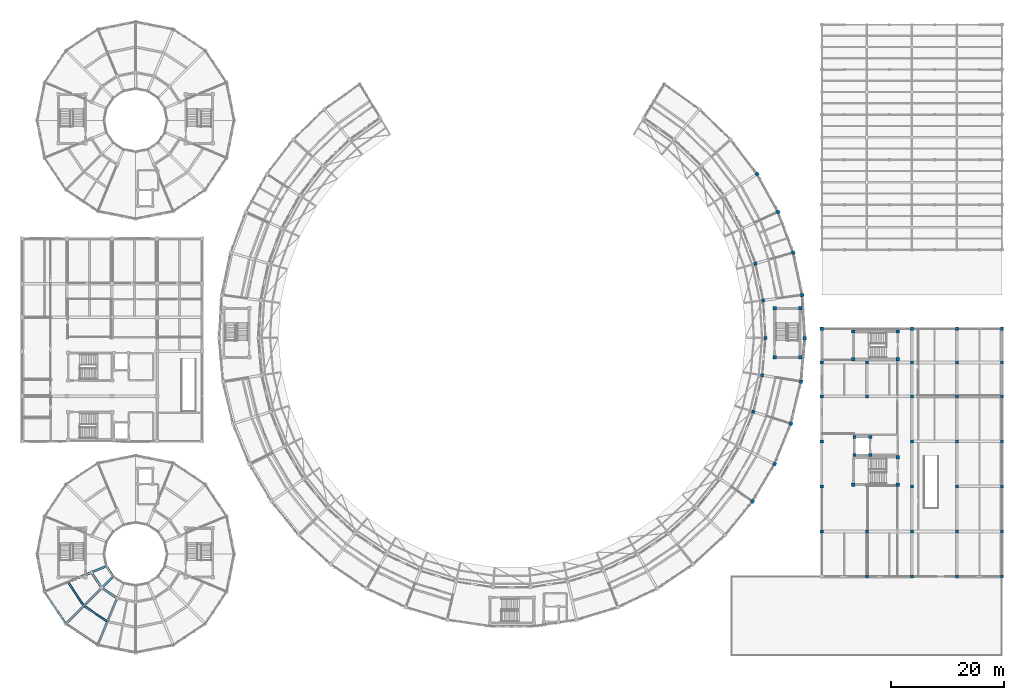
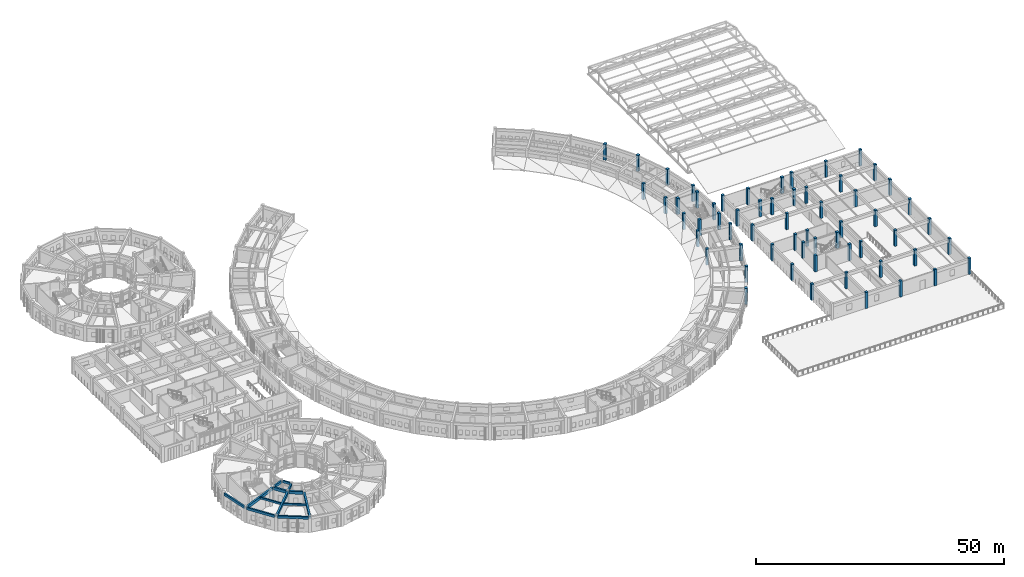
# One storey, part 7 of 112: 60 columns, 13 beams.
"""IFC4 building model written with IfcOpenShell, lengths in metres."""

from ifc_helpers import new_model, si_unit, direction, frame, origin, origin_2d, place, context, subcontext, project, spatial, rectangle, extrude, material, material_profile, profile_set, type_object, element, save


model = new_model("IFC4")

# Units and contexts
model_context = context("Model", 3, precision=1e-05, world=origin(), true_north=direction((0.0, 1.0)))
body_context = subcontext(model_context, "Body", "Model", "MODEL_VIEW")
ifc_project = project(units=[si_unit("LENGTHUNIT", "METRE"), si_unit("AREAUNIT", "SQUARE_METRE"), si_unit("VOLUMEUNIT", "CUBIC_METRE"), si_unit("PLANEANGLEUNIT", "RADIAN"), si_unit("MASSUNIT", "GRAM", prefix="KILO")], contexts=[model_context])

# Site, building, storey
site_placement = place(None, origin())
site = spatial("IfcSite", under=ifc_project, at=site_placement, CompositionType="ELEMENT")
building_placement = place(site_placement, origin())
building = spatial("IfcBuilding", under=site, at=building_placement, Name="Celadon Cloister-Ring School", CompositionType="ELEMENT")
storey_placement = place(building_placement, frame((0.0, 0.0, 8.5)))
storey = spatial("IfcBuildingStorey", under=building, at=storey_placement, Name="L02", CompositionType="ELEMENT", Elevation=8.5)

# Columns
ifc_material_1 = material(Name="Concrete C40/50", Category="concrete")
ifc_material_profile_1 = material_profile(ifc_material_1, rectangle(XDim=0.60009765625, YDim=0.60009765625, at=origin_2d()), Name="RC600X600")
ifc_profile_set_1 = profile_set([ifc_material_profile_1], Name="Concrete C40/50")
column_type_1 = type_object("IfcColumnType", Name="CT-04", PredefinedType="COLUMN", material=ifc_profile_set_1)
for number, where, z_axis, x_axis, name in (
    (1, (133.6298828125, 54.89990234375, 0.0), (0.0, 0.0, 1.0), (1.0, 0.0, 0.0), "Column 0003"),
    (2, (138.14990234375, 54.89990234375, 0.0), (0.0, 0.0, 1.0), (1.0, 0.0, 0.0), "Column 0007"),
    (3, (138.14990234375, 63.6201171875, 0.0), (0.0, 0.0, 1.0), (1.0, 0.0, 0.0), "Column 0011"),
    (4, (133.6298828125, 63.6201171875, 0.0), (0.0, 0.0, 1.0), (1.0, 0.0, 0.0), "Column 0015"),
    (5, (147.60009765625, 32.300048828125, 0.0), (0.0, 0.0, 1.0), (1.0, 0.0, 0.0), "Column 0097"),
    (6, (155.5, 32.300048828125, 0.0), (0.0, 0.0, 1.0), (1.0, 0.0, 0.0), "Column 0101"),
    (7, (155.5, 37.199951171875, 0.0), (0.0, 0.0, 1.0), (1.0, 0.0, 0.0), "Column 0105"),
    (8, (147.60009765625, 54.60009765625, 0.0), (0.0, 0.0, 1.0), (1.0, 0.0, 0.0), "Column 0109"),
    (9, (155.5, 54.60009765625, 0.0), (0.0, 0.0, 1.0), (1.0, 0.0, 0.0), "Column 0113"),
    (10, (155.5, 59.5, 0.0), (0.0, 0.0, 1.0), (1.0, 0.0, 0.0), "Column 0117"),
    (11, (147.60009765625, 59.5, 0.0), (0.0, 0.0, 1.0), (1.0, 0.0, 0.0), "Column 0121"),
):
    element("IfcColumn", number, at=place(storey_placement, frame(where, z_axis=z_axis, x_axis=x_axis)), inside=storey, type_object=column_type_1, Name=name, PredefinedType="COLUMN", context=body_context, shape_type="SweptSolid", body=[
        extrude(rectangle(XDim=0.60009765625, YDim=0.60009765625, at=origin_2d()), origin(), (0.0, 0.0, 1.0), 4.0),
    ])
ifc_material_2 = material(Name="Concrete C40/50", Category="concrete")
ifc_material_profile_2 = material_profile(ifc_material_2, rectangle(XDim=0.550048828125, YDim=0.550048828125, at=origin_2d()), Name="RC550X550")
ifc_profile_set_2 = profile_set([ifc_material_profile_2], Name="Concrete C40/50")
column_type_2 = type_object("IfcColumnType", Name="CT-05", PredefinedType="COLUMN", material=ifc_profile_set_2)
for number, where, z_axis, x_axis, name in (
    (12, (147.800048828125, 37.60009765625, 0.0), (0.0, 0.0, 1.0), (1.0, 0.0, 0.0), "Column 0310"),
    (13, (150.60009765625, 37.60009765625, 0.0), (0.0, 0.0, 1.0), (1.0, 0.0, 0.0), "Column 0314"),
    (14, (150.60009765625, 40.800048828125, 0.0), (0.0, 0.0, 1.0), (1.0, 0.0, 0.0), "Column 0318"),
    (15, (147.800048828125, 40.800048828125, 0.0), (0.0, 0.0, 1.0), (1.0, 0.0, 0.0), "Column 0322"),
    (16, (142.0, 24.0, 0.0), (0.0, 0.0, 1.0), (1.0, 0.0, 0.0), "Column 0929"),
    (17, (142.0, 32.0, 0.0), (0.0, 0.0, 1.0), (1.0, 0.0, 0.0), "Column 0932"),
    (18, (142.0, 40.0, 0.0), (0.0, 0.0, 1.0), (1.0, 0.0, 0.0), "Column 0936"),
    (19, (142.0, 48.0, 0.0), (0.0, 0.0, 1.0), (1.0, 0.0, 0.0), "Column 0940"),
    (20, (142.0, 54.0, 0.0), (0.0, 0.0, 1.0), (1.0, 0.0, 0.0), "Column 0944"),
    (21, (142.0, 60.0, 0.0), (0.0, 0.0, 1.0), (1.0, 0.0, 0.0), "Column 0948"),
    (22, (150.0, 16.0, 0.0), (0.0, 0.0, 1.0), (1.0, 0.0, 0.0), "Column 0954"),
    (23, (150.0, 24.0, 0.0), (0.0, 0.0, 1.0), (1.0, 0.0, 0.0), "Column 0959"),
    (24, (150.0, 48.0, 0.0), (0.0, 0.0, 1.0), (1.0, 0.0, 0.0), "Column 0962"),
    (25, (150.0, 54.0, 0.0), (0.0, 0.0, 1.0), (1.0, 0.0, 0.0), "Column 0966"),
    (26, (158.0, 16.0, 0.0), (0.0, 0.0, 1.0), (1.0, 0.0, 0.0), "Column 0972"),
    (27, (158.0, 24.0, 0.0), (0.0, 0.0, 1.0), (1.0, 0.0, 0.0), "Column 0977"),
    (28, (158.0, 32.0, 0.0), (0.0, 0.0, 1.0), (1.0, 0.0, 0.0), "Column 0980"),
    (29, (158.0, 40.0, 0.0), (0.0, 0.0, 1.0), (1.0, 0.0, 0.0), "Column 0984"),
    (30, (158.0, 48.0, 0.0), (0.0, 0.0, 1.0), (1.0, 0.0, 0.0), "Column 0988"),
    (31, (158.0, 54.0, 0.0), (0.0, 0.0, 1.0), (1.0, 0.0, 0.0), "Column 0992"),
    (32, (158.0, 60.0, 0.0), (0.0, 0.0, 1.0), (1.0, 0.0, 0.0), "Column 0996"),
    (33, (166.0, 16.0, 0.0), (0.0, 0.0, 1.0), (1.0, 0.0, 0.0), "Column 1002"),
    (34, (166.0, 24.0, 0.0), (0.0, 0.0, 1.0), (1.0, 0.0, 0.0), "Column 1007"),
    (35, (166.0, 32.0, 0.0), (0.0, 0.0, 1.0), (1.0, 0.0, 0.0), "Column 1010"),
    (36, (166.0, 40.0, 0.0), (0.0, 0.0, 1.0), (1.0, 0.0, 0.0), "Column 1014"),
    (37, (166.0, 48.0, 0.0), (0.0, 0.0, 1.0), (1.0, 0.0, 0.0), "Column 1018"),
    (38, (166.0, 54.0, 0.0), (0.0, 0.0, 1.0), (1.0, 0.0, 0.0), "Column 1022"),
    (39, (166.0, 60.0, 0.0), (0.0, 0.0, 1.0), (1.0, 0.0, 0.0), "Column 1026"),
    (40, (174.0, 16.0, 0.0), (0.0, 0.0, 1.0), (1.0, 0.0, 0.0), "Column 1032"),
    (41, (174.0, 24.0, 0.0), (0.0, 0.0, 1.0), (1.0, 0.0, 0.0), "Column 1037"),
    (42, (174.0, 32.0, 0.0), (0.0, 0.0, 1.0), (1.0, 0.0, 0.0), "Column 1040"),
    (43, (174.0, 40.0, 0.0), (0.0, 0.0, 1.0), (1.0, 0.0, 0.0), "Column 1044"),
    (44, (174.0, 48.0, 0.0), (0.0, 0.0, 1.0), (1.0, 0.0, 0.0), "Column 1048"),
    (45, (174.0, 54.0, 0.0), (0.0, 0.0, 1.0), (1.0, 0.0, 0.0), "Column 1052"),
    (46, (174.0, 60.0, 0.0), (0.0, 0.0, 1.0), (1.0, 0.0, 0.0), "Column 1056"),
):
    element("IfcColumn", number, at=place(storey_placement, frame(where, z_axis=z_axis, x_axis=x_axis)), inside=storey, type_object=column_type_2, Name=name, PredefinedType="COLUMN", context=body_context, shape_type="SweptSolid", body=[
        extrude(rectangle(XDim=0.550048828125, YDim=0.550048828125, at=origin_2d()), origin(), (0.0, 0.0, 1.0), 4.0),
    ])
ifc_material_3 = material(Name="Concrete C40/50", Category="concrete")
ifc_material_profile_3 = material_profile(ifc_material_3, rectangle(XDim=0.60009765625, YDim=0.60009765625, at=origin_2d()), Name="RC600X600")
ifc_profile_set_3 = profile_set([ifc_material_profile_3], Name="Concrete C40/50")
column_type_3 = type_object("IfcColumnType", Name="CT-23", PredefinedType="COLUMN", material=ifc_profile_set_3)
for number, where, z_axis, x_axis, name in (
    (47, (129.7119140625, 29.341064453125, 0.0), (0.0, 0.0, 1.0), (0.821388197028, -0.57036955545, 0.0), "Column 0630"),
    (48, (133.625, 35.97705078125, 0.0), (0.0, 0.0, 1.0), (0.896641036785, -0.442758231039, 0.0), "Column 0634"),
    (49, (136.514892578125, 43.117919921875, 0.0), (0.0, 0.0, 1.0), (0.95221472185, -0.305429408362, 0.0), "Column 0638"),
    (50, (138.318115234375, 50.60693359375, 0.0), (0.0, 0.0, 1.0), (0.986889540988, -0.161397130983, 0.0), "Column 0642"),
    (51, (138.9951171875, 58.281005859375, 0.0), (0.0, 0.0, 1.0), (0.999904463751, -0.013822567474, 0.0), "Column 0646"),
    (52, (138.531005859375, 65.970947265625, 0.0), (0.0, 0.0, 1.0), (0.9909738433, 0.13405536877, 0.0), "Column 0650"),
    (53, (136.93505859375, 73.508056640625, 0.0), (0.0, 0.0, 1.0), (0.960293685677, 0.278991106039, 0.0), "Column 0654"),
    (54, (134.243896484375, 80.72607421875, 0.0), (0.0, 0.0, 1.0), (0.908537347938, 0.417803646947, 0.0), "Column 0658"),
    (55, (130.51611328125, 87.467041015625, 0.0), (0.0, 0.0, 1.0), (0.836840759551, 0.547446383817, 0.0), "Column 0662"),
):
    element("IfcColumn", number, at=place(storey_placement, frame(where, z_axis=z_axis, x_axis=x_axis)), inside=storey, type_object=column_type_3, Name=name, PredefinedType="COLUMN", context=body_context, shape_type="SweptSolid", body=[
        extrude(rectangle(XDim=0.60009765625, YDim=0.60009765625, at=origin_2d()), origin(), (0.0, 0.0, 1.0), 4.0),
    ])
ifc_material_4 = material(Name="Concrete C40/50", Category="concrete")
ifc_material_profile_4 = material_profile(ifc_material_4, rectangle(XDim=0.550048828125, YDim=0.550048828125, at=origin_2d()), Name="RC550X550")
ifc_profile_set_4 = profile_set([ifc_material_profile_4], Name="Concrete C40/50")
column_type_4 = type_object("IfcColumnType", Name="CT-24", PredefinedType="COLUMN", material=ifc_profile_set_4)
for number, where, z_axis, x_axis, name in (
    (56, (129.85009765625, 45.256103515625, 0.0), (0.0, 0.0, 1.0), (0.95221472185, -0.305429408362, 0.0), "Column 0502"),
    (57, (131.409912109375, 51.737060546875, 0.0), (0.0, 0.0, 1.0), (0.986889540988, -0.161397130983, 0.0), "Column 0506"),
    (58, (131.99609375, 58.3779296875, 0.0), (0.0, 0.0, 1.0), (0.999904463751, -0.013822567474, 0.0), "Column 0510"),
    (59, (131.593994140625, 65.031982421875, 0.0), (0.0, 0.0, 1.0), (0.9909738433, 0.13405536877, 0.0), "Column 0514"),
    (60, (130.212890625, 71.554931640625, 0.0), (0.0, 0.0, 1.0), (0.960293685677, 0.278991106039, 0.0), "Column 0518"),
):
    element("IfcColumn", number, at=place(storey_placement, frame(where, z_axis=z_axis, x_axis=x_axis)), inside=storey, type_object=column_type_4, Name=name, PredefinedType="COLUMN", context=body_context, shape_type="SweptSolid", body=[
        extrude(rectangle(XDim=0.550048828125, YDim=0.550048828125, at=origin_2d()), origin(), (0.0, 0.0, 1.0), 4.0),
    ])

# Beams
ifc_material_5 = material(Name="Concrete C35/45", Category="concrete")
ifc_material_profile_5 = material_profile(ifc_material_5, rectangle(XDim=0.35009765625, YDim=0.60009765625, at=origin_2d()), Name="RC350X600")
ifc_profile_set_5 = profile_set([ifc_material_profile_5], Name="Concrete C35/45")
beam_type_1 = type_object("IfcBeamType", Name="BT-02", PredefinedType="BEAM", material=ifc_profile_set_5)
beam_1_placement = place(storey_placement, frame((12.577880859375, 16.843017578125, 3.47998046875), z_axis=(0.923932522988, 0.382555476978, 0.0), x_axis=(-0.382555476978, 0.923932522988, 0.0)))
element("IfcBeam", 61, at=beam_1_placement, inside=storey, type_object=beam_type_1, Name="Beam 1009", PredefinedType="BEAM", context=body_context, shape_type="SweptSolid", body=[
    extrude(rectangle(XDim=0.35009765625, YDim=0.60009765625, at=origin_2d()), origin(), (0.0, 0.0, 1.0), 2.399658203125),
])
beam_2_placement = place(storey_placement, frame((14.366943359375, 14.1669921875, 3.47998046875), z_axis=(0.707106781187, 0.707106781187, 0.0), x_axis=(-0.707106781187, 0.707106781187, 0.0)))
element("IfcBeam", 62, at=beam_2_placement, inside=storey, type_object=beam_type_1, Name="Beam 1011", PredefinedType="BEAM", context=body_context, shape_type="SweptSolid", body=[
    extrude(rectangle(XDim=0.35009765625, YDim=0.60009765625, at=origin_2d()), origin(), (0.0, 0.0, 1.0), 2.398681640625),
])
ifc_material_6 = material(Name="Concrete C35/45", Category="concrete")
ifc_material_profile_6 = material_profile(ifc_material_6, rectangle(XDim=0.39990234375, YDim=0.699951171875, at=origin_2d()), Name="RC400X700")
ifc_profile_set_6 = profile_set([ifc_material_profile_6], Name="Concrete C35/45")
beam_type_2 = type_object("IfcBeamType", Name="GT-03", PredefinedType="USERDEFINED", material=ifc_profile_set_6)
beam_3_placement = place(storey_placement, frame((4.285888671875, 13.407958984375, 3.429931640625), z_axis=(0.923896411609, 0.382642680076, 0.0), x_axis=(-0.382642680076, 0.923896411609, 0.0)))
element("IfcBeam", 63, at=beam_3_placement, inside=storey, type_object=beam_type_2, Name="Beam 1008", ObjectType="GIRDER", PredefinedType="USERDEFINED", context=body_context, shape_type="SweptSolid", body=[
    extrude(rectangle(XDim=0.39990234375, YDim=0.699951171875, at=origin_2d()), origin(), (0.0, 0.0, 1.0), 8.47509765625),
])
beam_4_placement = place(storey_placement, frame((8.02001953125, 7.820068359375, 3.429931640625), z_axis=(0.707106781187, 0.707106781187, 0.0), x_axis=(-0.707106781187, 0.707106781187, 0.0)))
element("IfcBeam", 64, at=beam_4_placement, inside=storey, type_object=beam_type_2, Name="Beam 1010", ObjectType="GIRDER", PredefinedType="USERDEFINED", context=body_context, shape_type="SweptSolid", body=[
    extrude(rectangle(XDim=0.39990234375, YDim=0.699951171875, at=origin_2d()), origin(), (0.0, 0.0, 1.0), 8.475341796875),
])
beam_5_placement = place(storey_placement, frame((13.60791015625, 4.0859375, 3.429931640625), z_axis=(0.382667268836, 0.923886227499, 0.0), x_axis=(-0.923886227499, 0.382667268836, 0.0)))
element("IfcBeam", 65, at=beam_5_placement, inside=storey, type_object=beam_type_2, Name="Beam 1012", ObjectType="GIRDER", PredefinedType="USERDEFINED", context=body_context, shape_type="SweptSolid", body=[
    extrude(rectangle(XDim=0.39990234375, YDim=0.699951171875, at=origin_2d()), origin(), (0.0, 0.0, 1.0), 8.47509765625),
])
beam_6_placement = place(storey_placement, frame((12.486083984375, 16.5390625, 3.429931640625), z_axis=(0.555740149771, -0.831356052442, 0.0), x_axis=(0.831356052442, 0.555740149771, 0.0)))
element("IfcBeam", 66, at=beam_6_placement, inside=storey, type_object=beam_type_2, Name="Beam 1047", ObjectType="GIRDER", PredefinedType="USERDEFINED", context=body_context, shape_type="SweptSolid", body=[
    extrude(rectangle(XDim=0.39990234375, YDim=0.699951171875, at=origin_2d()), origin(), (0.0, 0.0, 1.0), 2.81591796875),
])
beam_7_placement = place(storey_placement, frame((14.39794921875, 13.85107421875, 3.429931640625), z_axis=(0.831315995752, -0.555800067657, 0.0), x_axis=(0.555800067657, 0.831315995752, 0.0)))
element("IfcBeam", 67, at=beam_7_placement, inside=storey, type_object=beam_type_2, Name="Beam 1051", ObjectType="GIRDER", PredefinedType="USERDEFINED", context=body_context, shape_type="SweptSolid", body=[
    extrude(rectangle(XDim=0.39990234375, YDim=0.699951171875, at=origin_2d()), origin(), (0.0, 0.0, 1.0), 2.816162109375),
])
ifc_material_7 = material(Name="Concrete C35/45", Category="concrete")
ifc_material_profile_7 = material_profile(ifc_material_7, rectangle(XDim=0.300048828125, YDim=0.449951171875, at=origin_2d()), Name="RC300X450")
ifc_profile_set_7 = profile_set([ifc_material_profile_7], Name="Concrete C35/45")
beam_type_3 = type_object("IfcBeamType", Name="JT-01", PredefinedType="JOIST", material=ifc_profile_set_7)
beam_8_placement = place(storey_placement, frame((8.287109375, 14.87890625, 3.554931640625), z_axis=(0.555761854047, -0.831341543282, 0.0), x_axis=(0.831341543282, 0.555761854047, 0.0)))
element("IfcBeam", 68, at=beam_8_placement, inside=storey, type_object=beam_type_3, Name="Beam 1049", PredefinedType="JOIST", context=body_context, shape_type="SweptSolid", body=[
    extrude(rectangle(XDim=0.300048828125, YDim=0.449951171875, at=origin_2d()), origin(), (0.0, 0.0, 1.0), 4.720947265625),
])
beam_9_placement = place(storey_placement, frame((11.154052734375, 10.7109375, 3.554931640625), z_axis=(0.831333623542, -0.55577370068, 0.0), x_axis=(0.55577370068, 0.831333623542, 0.0)))
element("IfcBeam", 69, at=beam_9_placement, inside=storey, type_object=beam_type_3, Name="Beam 1053", PredefinedType="JOIST", context=body_context, shape_type="SweptSolid", body=[
    extrude(rectangle(XDim=0.300048828125, YDim=0.449951171875, at=origin_2d()), origin(), (0.0, 0.0, 1.0), 4.721435546875),
])
ifc_material_8 = material(Name="Concrete C35/45", Category="concrete")
ifc_material_profile_8 = material_profile(ifc_material_8, rectangle(XDim=0.35009765625, YDim=0.60009765625, at=origin_2d()), Name="RC350X600")
ifc_profile_set_8 = profile_set([ifc_material_profile_8], Name="Concrete C35/45")
beam_type_4 = type_object("IfcBeamType", Name="SP-01", PredefinedType="SPANDREL", material=ifc_profile_set_8)
beam_10_placement = place(storey_placement, frame((2.75390625, 19.72998046875, 3.47998046875), z_axis=(0.195001619501, -0.980802920261, 0.0), x_axis=(0.980802920261, 0.195001619501, 0.0)))
element("IfcBeam", 70, at=beam_10_placement, inside=storey, type_object=beam_type_4, Name="Beam 1044", PredefinedType="SPANDREL", context=body_context, shape_type="SweptSolid", body=[
    extrude(rectangle(XDim=0.35009765625, YDim=0.60009765625, at=origin_2d()), origin(), (0.0, 0.0, 1.0), 6.277587890625),
])
beam_11_placement = place(storey_placement, frame((4.18505859375, 13.073974609375, 3.47998046875), z_axis=(0.555660177561, -0.831409506244, 0.0), x_axis=(0.831409506244, 0.555660177561, 0.0)))
element("IfcBeam", 71, at=beam_11_placement, inside=storey, type_object=beam_type_4, Name="Beam 1046", PredefinedType="SPANDREL", context=body_context, shape_type="SweptSolid", body=[
    extrude(rectangle(XDim=0.35009765625, YDim=0.60009765625, at=origin_2d()), origin(), (0.0, 0.0, 1.0), 6.27734375),
])
beam_12_placement = place(storey_placement, frame((8.054931640625, 7.472900390625, 3.47998046875), z_axis=(0.831427473898, -0.555633292422, 0.0), x_axis=(0.555633292422, 0.831427473898, 0.0)))
element("IfcBeam", 72, at=beam_12_placement, inside=storey, type_object=beam_type_4, Name="Beam 1050", PredefinedType="SPANDREL", context=body_context, shape_type="SweptSolid", body=[
    extrude(rectangle(XDim=0.35009765625, YDim=0.60009765625, at=origin_2d()), origin(), (0.0, 0.0, 1.0), 6.277099609375),
])
ifc_material_9 = material(Name="Concrete C35/45", Category="concrete")
ifc_material_profile_9 = material_profile(ifc_material_9, rectangle(XDim=0.300048828125, YDim=0.550048828125, at=origin_2d()), Name="RC300X550")
ifc_profile_set_9 = profile_set([ifc_material_profile_9], Name="Concrete C35/45")
beam_type_5 = type_object("IfcBeamType", Name="SP-02", PredefinedType="SPANDREL", material=ifc_profile_set_9)
beam_13_placement = place(storey_placement, frame((15.1650390625, 17.64892578125, 3.5048828125), z_axis=(0.555569328961, -0.831470216374, 0.0), x_axis=(0.831470216374, 0.555569328961, 0.0)))
element("IfcBeam", 73, at=beam_13_placement, inside=storey, type_object=beam_type_5, Name="Beam 1048", PredefinedType="SPANDREL", context=body_context, shape_type="SweptSolid", body=[
    extrude(rectangle(XDim=0.300048828125, YDim=0.550048828125, at=origin_2d()), origin(), (0.0, 0.0, 1.0), 1.684814453125),
])

save(model, "model.ifc")
